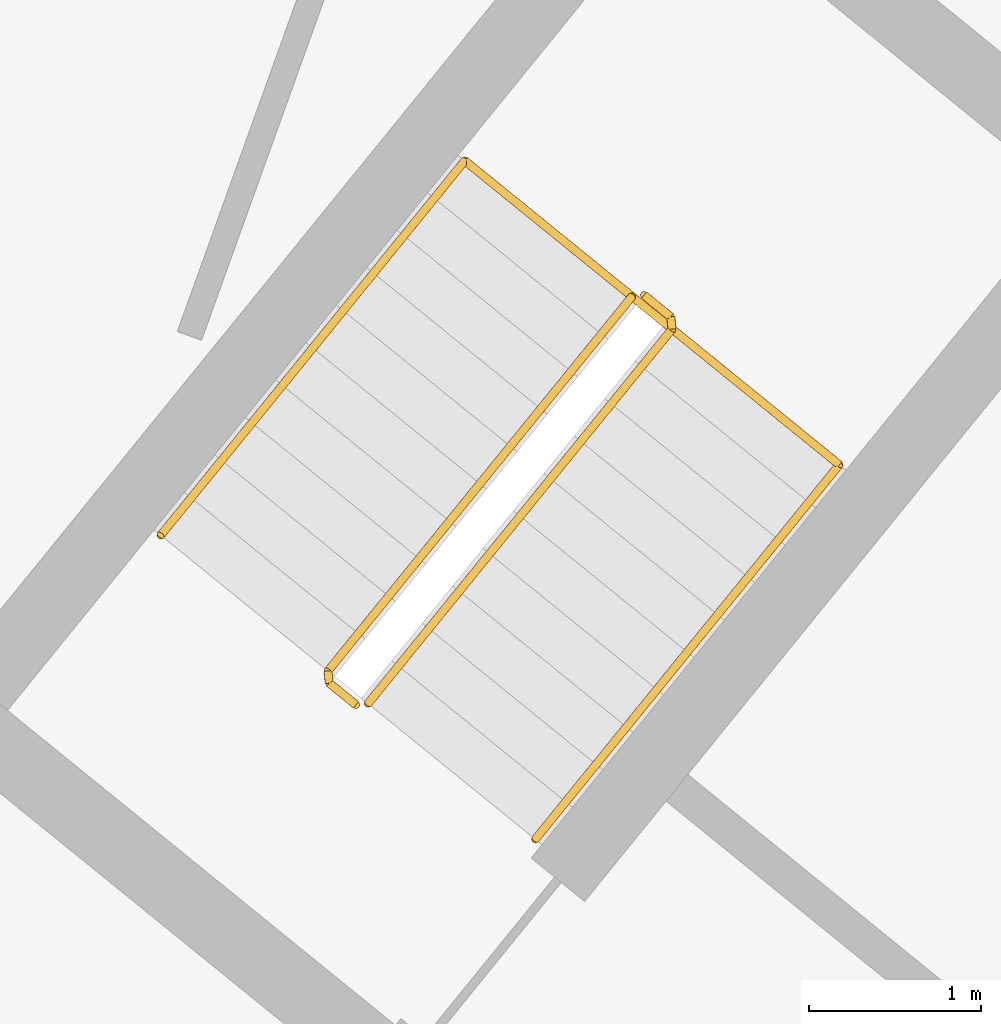
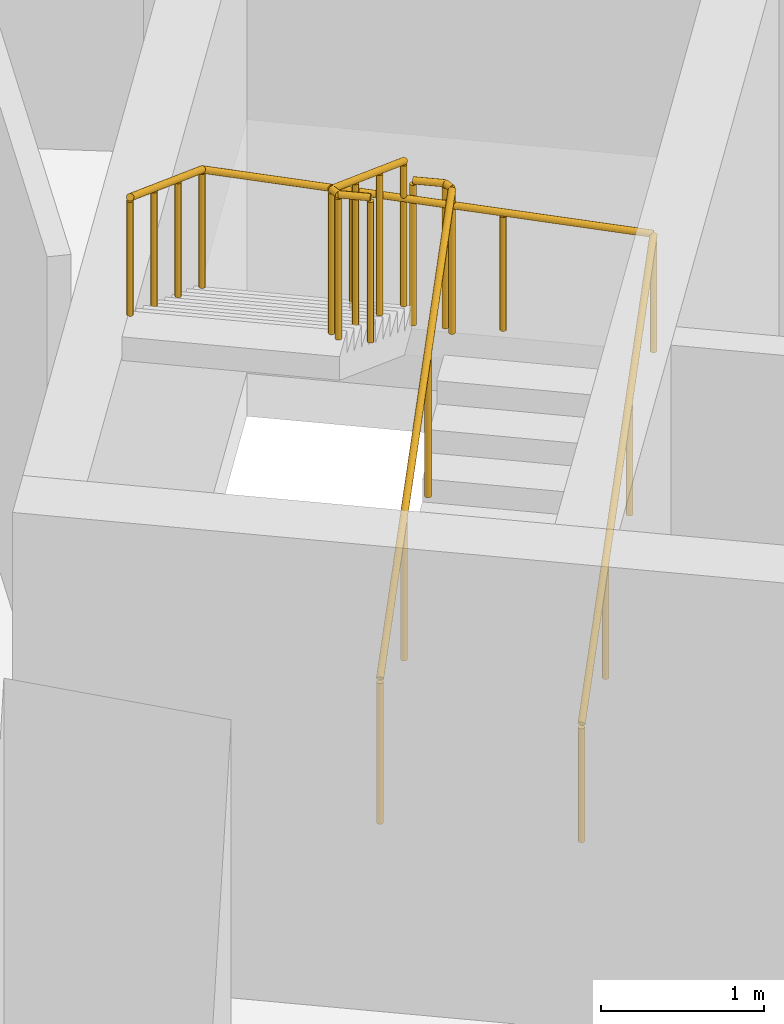
# One storey, part 21 of 21: 3 railings.
"""IFC4 building model written with IfcOpenShell, lengths in metres."""

from ifc_helpers import new_model, si_unit, direction, frame, origin, origin_2d, place, context, subcontext, project, spatial, circle, extrude, material, type_object, element, save


model = new_model("IFC4")

# Units and contexts
model_context = context("Model", 3, precision=1e-05, world=origin(), true_north=direction((0.0, 1.0)))
body_context = subcontext(model_context, "Body", "Model", "MODEL_VIEW")
ifc_project = project(units=[si_unit("LENGTHUNIT", "METRE"), si_unit("AREAUNIT", "SQUARE_METRE"), si_unit("VOLUMEUNIT", "CUBIC_METRE"), si_unit("PLANEANGLEUNIT", "RADIAN"), si_unit("MASSUNIT", "GRAM", prefix="KILO")], contexts=[model_context])

# Site, building, storey
site_placement = place(None, origin())
site = spatial("IfcSite", under=ifc_project, at=site_placement, CompositionType="ELEMENT")
building_placement = place(site_placement, origin())
building = spatial("IfcBuilding", under=site, at=building_placement, Name="Stone Belt Terrace Tower", CompositionType="ELEMENT")
storey_placement = place(building_placement, frame((0.0, 0.0, 49.0)))
storey = spatial("IfcBuildingStorey", under=building, at=storey_placement, Name="L11", CompositionType="ELEMENT", Elevation=49.0)

# Railings
ifc_material = material(Name="Structural steel C345", Category="steel")
railing_type_1 = type_object("IfcRailingType", Name="Stair guard 1100", PredefinedType="GUARDRAIL", material=ifc_material)
railing_1_placement = place(storey_placement, frame((29.39794921875, 38.281982421875, 0.172607421875)))
element("IfcRailing", 1, at=railing_1_placement, inside=storey, type_object=railing_type_1, Name="L11 ST3B stair guard 1", PredefinedType="GUARDRAIL", context=body_context, shape_type="SweptSolid", body=[
    extrude(circle(Radius=0.02392578125, at=origin_2d()), frame((0.0, 0.0, 1.076171875), z_axis=(0.536393061503, 0.660769759217, 0.525038864158), x_axis=(-0.776391310223, 0.630251166924, 0.0)), (0.0, 0.0, 1.0), 3.289794921875),
    extrude(circle(Radius=0.02392578125, at=origin_2d()), frame((1.7646484375, 2.173828125, 2.80322265625), z_axis=(-0.103251414163, 0.994655289773, 0.0), x_axis=(-0.994655289773, -0.103251414163, 0.0)), (0.0, 0.0, 1.0), 0.071044921875),
    extrude(circle(Radius=0.02392578125, at=origin_2d()), frame((1.75732421875, 2.244384765625, 2.80322265625), z_axis=(-0.776561986372, 0.630040856868, 0.0), x_axis=(-0.630040856868, -0.776561986372, 0.0)), (0.0, 0.0, 1.0), 0.199951171875),
    extrude(circle(Radius=0.02099609375, at=origin_2d()), origin(), (0.0, 0.0, 1.0), 1.052001953125),
    extrude(circle(Radius=0.02099609375, at=origin_2d()), frame((0.588134765625, 0.724609375, 0.57568359375)), (0.0, 0.0, 1.0), 1.052001953125),
    extrude(circle(Radius=0.02099609375, at=origin_2d()), frame((1.176513671875, 1.44921875, 1.151611328125)), (0.0, 0.0, 1.0), 1.052001953125),
    extrude(circle(Radius=0.02099609375, at=origin_2d()), frame((1.7646484375, 2.173828125, 1.727294921875)), (0.0, 0.0, 1.0), 1.052001953125),
    extrude(circle(Radius=0.02099609375, at=origin_2d()), frame((1.75732421875, 2.244384765625, 1.727294921875)), (0.0, 0.0, 1.0), 1.052001953125),
    extrude(circle(Radius=0.02099609375, at=origin_2d()), frame((1.60205078125, 2.370361328125, 1.727294921875)), (0.0, 0.0, 1.0), 1.052001953125),
])
railing_2_placement = place(storey_placement, frame((30.9296875, 40.64501953125, 2.07275390625)))
element("IfcRailing", 2, at=railing_2_placement, inside=storey, type_object=railing_type_1, Name="L11 ST3B stair guard 2", PredefinedType="GUARDRAIL", context=body_context, shape_type="SweptSolid", body=[
    extrude(circle(Radius=0.02392578125, at=origin_2d()), frame((0.0, 0.0, 1.076171875), z_axis=(-0.536366759382, -0.660811565066, 0.525013118792), x_axis=(0.776425942316, -0.630208502084, 0.0)), (0.0, 0.0, 1.0), 3.2900390625),
    extrude(circle(Radius=0.02392578125, at=origin_2d()), frame((-1.7646484375, -2.174072265625, 2.80322265625), z_axis=(0.103606084259, -0.994618408891, 0.0), x_axis=(0.994618408891, 0.103606084259, 0.0)), (0.0, 0.0, 1.0), 0.07080078125),
    extrude(circle(Radius=0.02392578125, at=origin_2d()), frame((-1.75732421875, -2.244384765625, 2.80322265625), z_axis=(0.776561986372, -0.630040856868, 0.0), x_axis=(0.630040856868, 0.776561986372, 0.0)), (0.0, 0.0, 1.0), 0.199951171875),
    extrude(circle(Radius=0.02099609375, at=origin_2d()), origin(), (0.0, 0.0, 1.0), 1.052001953125),
    extrude(circle(Radius=0.02099609375, at=origin_2d()), frame((-0.588134765625, -0.724609375, 0.57568359375)), (0.0, 0.0, 1.0), 1.052001953125),
    extrude(circle(Radius=0.02099609375, at=origin_2d()), frame((-1.176513671875, -1.449462890625, 1.151611328125)), (0.0, 0.0, 1.0), 1.052001953125),
    extrude(circle(Radius=0.02099609375, at=origin_2d()), frame((-1.7646484375, -2.174072265625, 1.727294921875)), (0.0, 0.0, 1.0), 1.052001953125),
    extrude(circle(Radius=0.02099609375, at=origin_2d()), frame((-1.75732421875, -2.244384765625, 1.727294921875)), (0.0, 0.0, 1.0), 1.052001953125),
    extrude(circle(Radius=0.02099609375, at=origin_2d()), frame((-1.60205078125, -2.370361328125, 1.727294921875)), (0.0, 0.0, 1.0), 1.052001953125),
])
railing_type_2 = type_object("IfcRailingType", Name="Stair handrail 900", PredefinedType="HANDRAIL", material=ifc_material)
railing_3_placement = place(storey_placement, frame((30.36865234375, 37.494140625, 0.172607421875)))
element("IfcRailing", 3, at=railing_3_placement, inside=storey, type_object=railing_type_2, Name="L11 ST3B stair handrail 1", PredefinedType="HANDRAIL", context=body_context, shape_type="SweptSolid", body=[
    extrude(circle(Radius=0.02392578125, at=origin_2d()), frame((0.0, 0.0, 0.8759765625), z_axis=(0.536366759382, 0.660811565066, 0.525013118792), x_axis=(-0.776425942316, 0.630208502084, 0.0)), (0.0, 0.0, 1.0), 3.2900390625),
    extrude(circle(Radius=0.02392578125, at=origin_2d()), frame((1.7646484375, 2.174072265625, 2.60302734375), z_axis=(-0.774950814199, 0.629011171817, 0.061613158501), x_axis=(-0.630208502084, -0.776425942316, 0.0)), (0.0, 0.0, 1.0), 2.805419921875),
    extrude(circle(Radius=0.02392578125, at=origin_2d()), frame((-0.409423828125, 3.938720703125, 2.77587890625), z_axis=(-0.536366759382, -0.660811565066, 0.525013118792), x_axis=(0.776425942316, -0.630208502084, 0.0)), (0.0, 0.0, 1.0), 3.2900390625),
    extrude(circle(Radius=0.02099609375, at=origin_2d()), origin(), (0.0, 0.0, 1.0), 0.851806640625),
    extrude(circle(Radius=0.02099609375, at=origin_2d()), frame((0.588134765625, 0.724609375, 0.57568359375)), (0.0, 0.0, 1.0), 0.851806640625),
    extrude(circle(Radius=0.02099609375, at=origin_2d()), frame((1.176513671875, 1.449462890625, 1.151611328125)), (0.0, 0.0, 1.0), 0.851806640625),
    extrude(circle(Radius=0.02099609375, at=origin_2d()), frame((1.7646484375, 2.174072265625, 1.727294921875)), (0.0, 0.0, 1.0), 0.851806640625),
    extrude(circle(Radius=0.02099609375, at=origin_2d()), frame((1.0400390625, 2.76220703125, 1.784912109375)), (0.0, 0.0, 1.0), 0.851806640625),
    extrude(circle(Radius=0.02099609375, at=origin_2d()), frame((0.315185546875, 3.3505859375, 1.842529296875)), (0.0, 0.0, 1.0), 0.851806640625),
    extrude(circle(Radius=0.02099609375, at=origin_2d()), frame((-0.409423828125, 3.938720703125, 1.900146484375)), (0.0, 0.0, 1.0), 0.851806640625),
    extrude(circle(Radius=0.02099609375, at=origin_2d()), frame((-0.99755859375, 3.214111328125, 2.475830078125)), (0.0, 0.0, 1.0), 0.851806640625),
    extrude(circle(Radius=0.02099609375, at=origin_2d()), frame((-1.5859375, 2.4892578125, 3.0517578125)), (0.0, 0.0, 1.0), 0.851806640625),
    extrude(circle(Radius=0.02099609375, at=origin_2d()), frame((-2.174072265625, 1.7646484375, 3.62744140625)), (0.0, 0.0, 1.0), 0.851806640625),
])

save(model, "model.ifc")
